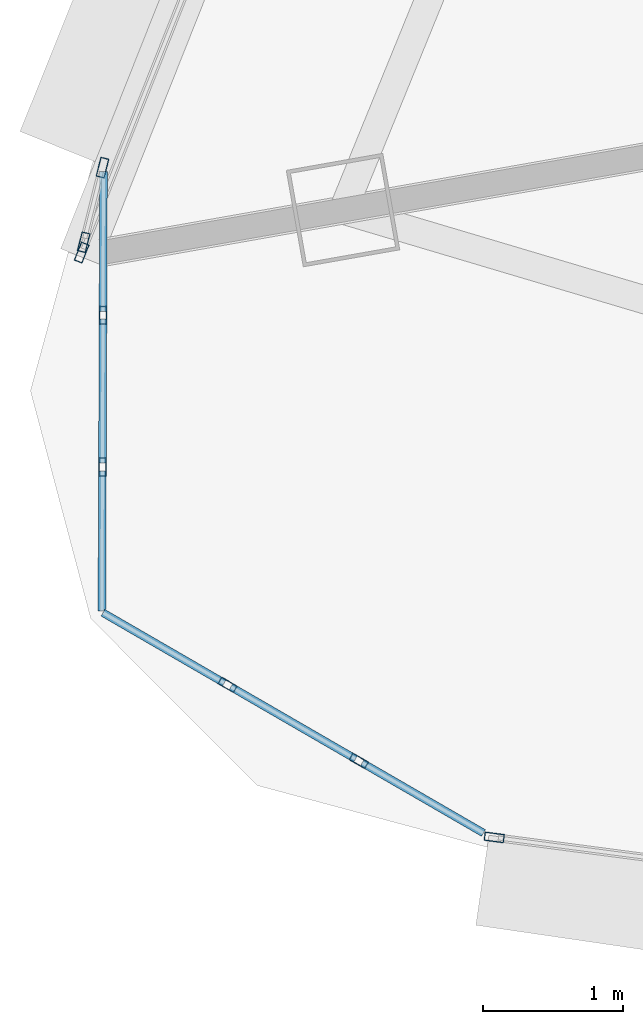
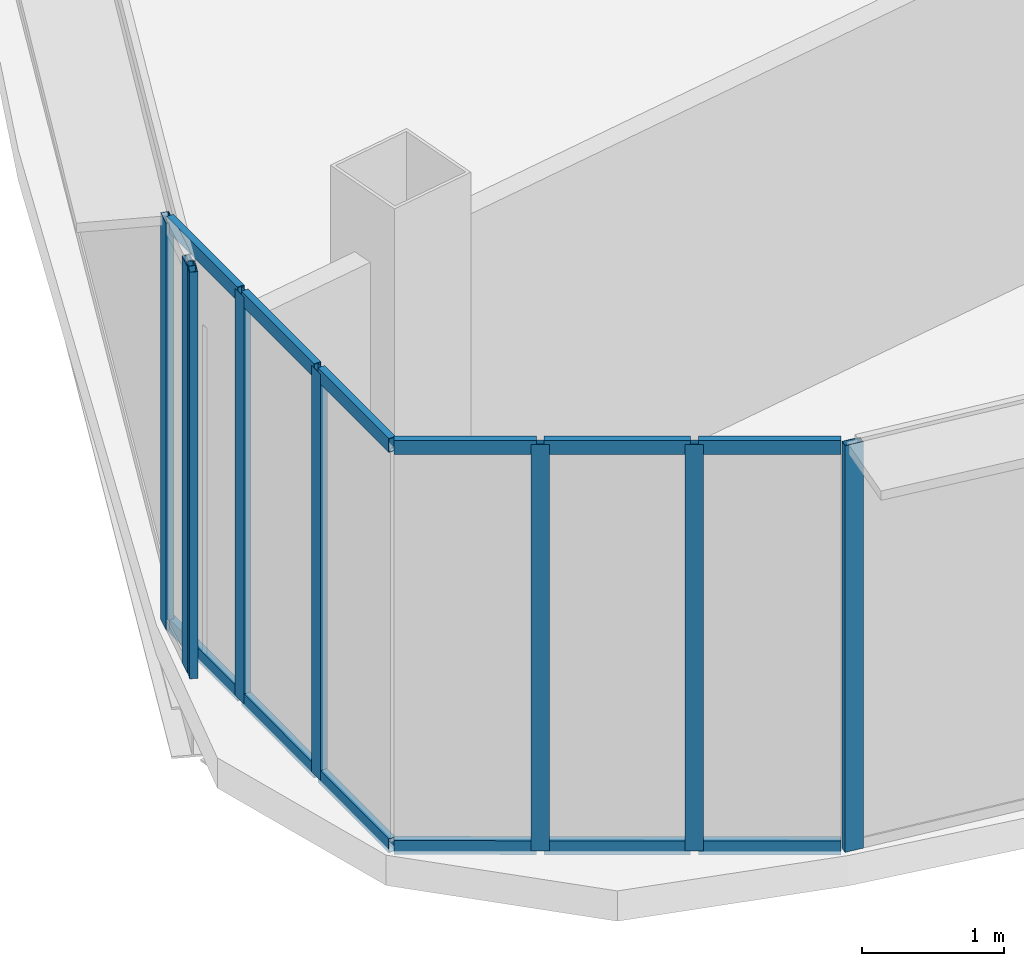
# One storey, part 2 of 29: 20 members, 5 elements without a shape of their own.
"""IFC4 building model written with IfcOpenShell, lengths in metres."""

from ifc_helpers import new_model, si_unit, direction, frame, origin, origin_2d, place, context, subcontext, project, spatial, hollow_rectangle, extrude, source, transform, mapped, material, layer, layer_set, material_profile, profile_set, type_object, element, aggregate, save


model = new_model("IFC4")

# Units and contexts
model_context = context("Model", 3, precision=1e-05, world=origin(), true_north=direction((0.0, 1.0)))
body_context = subcontext(model_context, "Body", "Model", "MODEL_VIEW")
ifc_project = project(units=[si_unit("LENGTHUNIT", "METRE"), si_unit("AREAUNIT", "SQUARE_METRE"), si_unit("VOLUMEUNIT", "CUBIC_METRE"), si_unit("PLANEANGLEUNIT", "RADIAN"), si_unit("MASSUNIT", "GRAM", prefix="KILO"), si_unit("THERMODYNAMICTEMPERATUREUNIT", "KELVIN"), si_unit("POWERUNIT", "WATT")], contexts=[model_context])

# Site, building, storey
site_placement = place(None, origin())
site = spatial("IfcSite", under=ifc_project, at=site_placement, CompositionType="ELEMENT")
building_placement = place(site_placement, origin())
building = spatial("IfcBuilding", under=site, at=building_placement, Name="Yunzhuo Pagoda Commons", CompositionType="ELEMENT")
storey_placement = place(building_placement, frame((0.0, 0.0, 359.260009765625)))
storey = spatial("IfcBuildingStorey", under=building, at=storey_placement, Name="L90", CompositionType="ELEMENT", Elevation=359.260009765625)

# Curtain wall, member
ifc_material = material(Name="Anodized aluminium 6063-T6", Category="aluminium")
ifc_layer_1 = layer(ifc_material, 0.139892578125)
ifc_layer_set_1 = layer_set([ifc_layer_1], Name="Anodized aluminium 6063-T6")
curtain_wall_type_1 = type_object("IfcCurtainWallType", Name="CW-HI High-Zone Ribbon Curtain Wall", PredefinedType="NOTDEFINED", material=ifc_layer_set_1)
curtain_wall_1_placement = place(storey_placement, origin())
curtain_wall_1 = element("IfcCurtainWall", 1, at=curtain_wall_1_placement, inside=storey, type_object=curtain_wall_type_1, Name="L90 curtain wall CW-L90-F1B1", PredefinedType="NOTDEFINED")
ifc_material_profile_1 = material_profile(ifc_material, hollow_rectangle(XDim=0.06005859375, YDim=0.139892578125, WallThickness=0.00341796875, at=origin_2d()), Name="Anodized aluminium 6063-T6")
ifc_profile_set_1 = profile_set([ifc_material_profile_1], Name="Anodized aluminium 6063-T6")
member_type_1 = type_object("IfcMemberType", Name="CW-HI-M Mullion RHS 140x60x3.5", PredefinedType="MULLION", material=ifc_profile_set_1)
shared_shape_1 = source(origin(), body_context, "Body", "SweptSolid", [
    extrude(hollow_rectangle(XDim=0.06005859375, YDim=0.139892578125, WallThickness=0.00341796875, at=origin_2d()), origin(), (0.0, 0.0, 1.0), 3.489990234375),
])
member_1_placement = place(storey_placement, frame((24.6103515625, 24.903076171875, 0.0), z_axis=(0.0, 0.0, 1.0), x_axis=(0.130505551679, 0.991447578534, 0.0)))
member_1 = element("IfcMember", 2, at=member_1_placement, type_object=member_type_1, Name="CW mullion 1", PredefinedType="MULLION", context=body_context, shape_type="MappedRepresentation", body=[
    mapped(shared_shape_1, transform((0.0, 0.0, 0.0), scale=1.0)),
])
aggregate(curtain_wall_1, [member_1])

curtain_wall_2_placement = place(storey_placement, origin())
curtain_wall_2 = element("IfcCurtainWall", 3, at=curtain_wall_2_placement, inside=storey, type_object=curtain_wall_type_1, Name="L90 curtain wall CW-L90-F3B4", PredefinedType="NOTDEFINED")
member_2_placement = place(storey_placement, frame((21.66259765625, 29.081787109375, 0.0), z_axis=(0.0, 0.0, 1.0), x_axis=(0.929441197274, -0.368970270902, 0.0)))
member_2 = element("IfcMember", 4, at=member_2_placement, type_object=member_type_1, Name="CW mullion 2", PredefinedType="MULLION", context=body_context, shape_type="MappedRepresentation", body=[
    mapped(shared_shape_1, transform((0.0, 0.0, 0.0), scale=1.0)),
])
aggregate(curtain_wall_2, [member_2])

# Curtain wall, members
curtain_wall_3_placement = place(storey_placement, origin())
curtain_wall_3 = element("IfcCurtainWall", 5, at=curtain_wall_3_placement, inside=storey, type_object=curtain_wall_type_1, Name="L90 curtain wall CW-L90-F3B5", PredefinedType="NOTDEFINED")
member_3_placement = place(storey_placement, frame((21.677001953125, 29.15576171875, 0.0), z_axis=(0.0, 0.0, 1.0), x_axis=(-0.969716189017, 0.244234544564, 0.0)))
member_3 = element("IfcMember", 6, at=member_3_placement, type_object=member_type_1, Name="CW mullion 1", PredefinedType="MULLION", context=body_context, shape_type="MappedRepresentation", body=[
    mapped(shared_shape_1, transform((0.0, 0.0, 0.0), scale=1.0)),
])
member_4_placement = place(storey_placement, frame((21.811279296875, 29.6884765625, 0.0), z_axis=(0.0, 0.0, 1.0), x_axis=(-0.969716189017, 0.244234544564, 0.0)))
member_4 = element("IfcMember", 7, at=member_4_placement, type_object=member_type_1, Name="CW mullion 2", PredefinedType="MULLION", context=body_context, shape_type="MappedRepresentation", body=[
    mapped(shared_shape_1, transform((0.0, 0.0, 0.0), scale=1.0)),
])
aggregate(curtain_wall_3, [member_3, member_4])

ifc_layer_2 = layer(ifc_material, 0.1298828125)
ifc_layer_set_2 = layer_set([ifc_layer_2], Name="Anodized aluminium 6063-T6")
curtain_wall_type_2 = type_object("IfcCurtainWallType", Name="CW-VTX Rounded Corner Curtain Wall", PredefinedType="NOTDEFINED", material=ifc_layer_set_2)
curtain_wall_4_placement = place(storey_placement, origin())
curtain_wall_4 = element("IfcCurtainWall", 8, at=curtain_wall_4_placement, inside=storey, type_object=curtain_wall_type_2, Name="L90 curtain wall CW-L90-VTX1S1", PredefinedType="NOTDEFINED")
ifc_material_profile_2 = material_profile(ifc_material, hollow_rectangle(XDim=0.054931640625, YDim=0.1298828125, WallThickness=0.00341796875, at=origin_2d()), Name="Anodized aluminium 6063-T6")
ifc_profile_set_2 = profile_set([ifc_material_profile_2], Name="Anodized aluminium 6063-T6")
member_type_2 = type_object("IfcMemberType", Name="CW-VTX-M Mullion RHS 130x55x3.5", PredefinedType="MULLION", material=ifc_profile_set_2)
shared_shape_2 = source(origin(), body_context, "Body", "SweptSolid", [
    extrude(hollow_rectangle(XDim=0.054931640625, YDim=0.1298828125, WallThickness=0.00341796875, at=origin_2d()), origin(), (0.0, 0.0, 1.0), 3.489990234375),
])
member_5_placement = place(storey_placement, frame((21.814697265625, 28.6337890625, 0.0), z_axis=(0.0, 0.0, 1.0), x_axis=(0.999993524845, -0.003598647958, 0.0)))
member_5 = element("IfcMember", 9, at=member_5_placement, type_object=member_type_2, Name="CW mullion 2", PredefinedType="MULLION", context=body_context, shape_type="MappedRepresentation", body=[
    mapped(shared_shape_2, transform((0.0, 0.0, 0.0), scale=1.0)),
])
member_6_placement = place(storey_placement, frame((21.810791015625, 27.550048828125, 0.0), z_axis=(0.0, 0.0, 1.0), x_axis=(0.999993524845, -0.003598647958, 0.0)))
member_6 = element("IfcMember", 10, at=member_6_placement, type_object=member_type_2, Name="CW mullion 3", PredefinedType="MULLION", context=body_context, shape_type="MappedRepresentation", body=[
    mapped(shared_shape_2, transform((0.0, 0.0, 0.0), scale=1.0)),
])

curtain_wall_5_placement = place(storey_placement, origin())
curtain_wall_5 = element("IfcCurtainWall", 11, at=curtain_wall_5_placement, inside=storey, type_object=curtain_wall_type_2, Name="L90 curtain wall CW-L90-VTX1S2", PredefinedType="NOTDEFINED")
member_7_placement = place(storey_placement, frame((22.704833984375, 25.992919921875, 0.0), z_axis=(0.0, 0.0, 1.0), x_axis=(0.501016871191, 0.865437516394, 0.0)))
member_7 = element("IfcMember", 12, at=member_7_placement, type_object=member_type_2, Name="CW mullion 2", PredefinedType="MULLION", context=body_context, shape_type="MappedRepresentation", body=[
    mapped(shared_shape_2, transform((0.0, 0.0, 0.0), scale=1.0)),
])
member_8_placement = place(storey_placement, frame((23.642578125, 25.449951171875, 0.0), z_axis=(0.0, 0.0, 1.0), x_axis=(0.501016871191, 0.865437516394, 0.0)))
member_8 = element("IfcMember", 13, at=member_8_placement, type_object=member_type_2, Name="CW mullion 3", PredefinedType="MULLION", context=body_context, shape_type="MappedRepresentation", body=[
    mapped(shared_shape_2, transform((0.0, 0.0, 0.0), scale=1.0)),
])

# Member
ifc_material_profile_3 = material_profile(ifc_material, hollow_rectangle(XDim=0.054931640625, YDim=0.1201171875, WallThickness=0.00341796875, at=origin_2d()), Name="Anodized aluminium 6063-T6")
ifc_profile_set_3 = profile_set([ifc_material_profile_3], Name="Anodized aluminium 6063-T6")
member_type_3 = type_object("IfcMemberType", Name="CW-VTX-T Transom RHS 120x55x3.5", PredefinedType="USERDEFINED", material=ifc_profile_set_3)
shared_shape_3 = source(origin(), body_context, "Body", "SweptSolid", [
    extrude(hollow_rectangle(XDim=0.054931640625, YDim=0.1201171875, WallThickness=0.00341796875, at=origin_2d()), origin(), (0.0, 0.0, 1.0), 1.001220703125),
])
member_9_placement = place(storey_placement, frame((21.818359375, 29.66259765625, 0.027587890625), z_axis=(-0.003657620011, -0.999993310886, 0.0), x_axis=(0.999993310886, -0.003657620011, 0.0)))
member_9 = element("IfcMember", 14, at=member_9_placement, type_object=member_type_3, Name="CW transom 1.1", ObjectType="TRANSOM", PredefinedType="USERDEFINED", context=body_context, shape_type="MappedRepresentation", body=[
    mapped(shared_shape_3, transform((0.0, 0.0, 0.0), scale=1.0)),
])

member_10_placement = place(storey_placement, frame((21.818359375, 29.66259765625, 3.46240234375), z_axis=(-0.003657620011, -0.999993310886, 0.0), x_axis=(0.999993310886, -0.003657620011, 0.0)))
member_10 = element("IfcMember", 15, at=member_10_placement, type_object=member_type_3, Name="CW transom 1.2", ObjectType="TRANSOM", PredefinedType="USERDEFINED", context=body_context, shape_type="MappedRepresentation", body=[
    mapped(shared_shape_3, transform((0.0, 0.0, 0.0), scale=1.0)),
])

member_11_placement = place(storey_placement, frame((21.810546875, 27.5224609375, 0.027587890625), z_axis=(-0.003657620011, -0.999993310886, 0.0), x_axis=(0.999993310886, -0.003657620011, 0.0)))
member_11 = element("IfcMember", 16, at=member_11_placement, type_object=member_type_3, Name="CW transom 3.1", ObjectType="TRANSOM", PredefinedType="USERDEFINED", context=body_context, shape_type="MappedRepresentation", body=[
    mapped(shared_shape_3, transform((0.0, 0.0, 0.0), scale=1.0)),
])

member_12_placement = place(storey_placement, frame((21.810546875, 27.5224609375, 3.46240234375), z_axis=(-0.003657620011, -0.999993310886, 0.0), x_axis=(0.999993310886, -0.003657620011, 0.0)))
member_12 = element("IfcMember", 17, at=member_12_placement, type_object=member_type_3, Name="CW transom 3.2", ObjectType="TRANSOM", PredefinedType="USERDEFINED", context=body_context, shape_type="MappedRepresentation", body=[
    mapped(shared_shape_3, transform((0.0, 0.0, 0.0), scale=1.0)),
])

member_13_placement = place(storey_placement, frame((21.814453125, 26.50830078125, 0.027587890625), z_axis=(0.865392894497, -0.501093941446, 0.0), x_axis=(0.501093941446, 0.865392894497, 0.0)))
member_13 = element("IfcMember", 18, at=member_13_placement, type_object=member_type_3, Name="CW transom 1.1", ObjectType="TRANSOM", PredefinedType="USERDEFINED", context=body_context, shape_type="MappedRepresentation", body=[
    mapped(shared_shape_3, transform((0.0, 0.0, 0.0), scale=1.0)),
])

member_14_placement = place(storey_placement, frame((21.814453125, 26.50830078125, 3.46240234375), z_axis=(0.865392894497, -0.501093941446, 0.0), x_axis=(0.501093941446, 0.865392894497, 0.0)))
member_14 = element("IfcMember", 19, at=member_14_placement, type_object=member_type_3, Name="CW transom 1.2", ObjectType="TRANSOM", PredefinedType="USERDEFINED", context=body_context, shape_type="MappedRepresentation", body=[
    mapped(shared_shape_3, transform((0.0, 0.0, 0.0), scale=1.0)),
])

member_15_placement = place(storey_placement, frame((23.66650390625, 25.43603515625, 0.027587890625), z_axis=(0.865498628265, -0.500911294014, 0.0), x_axis=(0.500911294014, 0.865498628265, 0.0)))
member_15 = element("IfcMember", 20, at=member_15_placement, type_object=member_type_3, Name="CW transom 3.1", ObjectType="TRANSOM", PredefinedType="USERDEFINED", context=body_context, shape_type="MappedRepresentation", body=[
    mapped(shared_shape_3, transform((0.0, 0.0, 0.0), scale=1.0)),
])

member_16_placement = place(storey_placement, frame((23.66650390625, 25.43603515625, 3.46240234375), z_axis=(0.865498628265, -0.500911294014, 0.0), x_axis=(0.500911294014, 0.865498628265, 0.0)))
member_16 = element("IfcMember", 21, at=member_16_placement, type_object=member_type_3, Name="CW transom 3.2", ObjectType="TRANSOM", PredefinedType="USERDEFINED", context=body_context, shape_type="MappedRepresentation", body=[
    mapped(shared_shape_3, transform((0.0, 0.0, 0.0), scale=1.0)),
])

shared_shape_4 = source(origin(), body_context, "Body", "SweptSolid", [
    extrude(hollow_rectangle(XDim=0.054931640625, YDim=0.1201171875, WallThickness=0.00341796875, at=origin_2d()), origin(), (0.0, 0.0, 1.0), 1.028564453125),
])
member_17_placement = place(storey_placement, frame((21.814453125, 28.606201171875, 0.027587890625), z_axis=(-0.003560385694, -0.999993661807, 0.0), x_axis=(0.999993661807, -0.003560385694, 0.0)))
member_17 = element("IfcMember", 22, at=member_17_placement, type_object=member_type_3, Name="CW transom 2.1", ObjectType="TRANSOM", PredefinedType="USERDEFINED", context=body_context, shape_type="MappedRepresentation", body=[
    mapped(shared_shape_4, transform((0.0, 0.0, 0.0), scale=1.0)),
])

member_18_placement = place(storey_placement, frame((21.814453125, 28.606201171875, 3.46240234375), z_axis=(-0.003560385694, -0.999993661807, 0.0), x_axis=(0.999993661807, -0.003560385694, 0.0)))
member_18 = element("IfcMember", 23, at=member_18_placement, type_object=member_type_3, Name="CW transom 2.2", ObjectType="TRANSOM", PredefinedType="USERDEFINED", context=body_context, shape_type="MappedRepresentation", body=[
    mapped(shared_shape_4, transform((0.0, 0.0, 0.0), scale=1.0)),
])

aggregate(curtain_wall_4, [member_5, member_6, member_9, member_10, member_17, member_18, member_11, member_12])

shared_shape_5 = source(origin(), body_context, "Body", "SweptSolid", [
    extrude(hollow_rectangle(XDim=0.054931640625, YDim=0.1201171875, WallThickness=0.00341796875, at=origin_2d()), origin(), (0.0, 0.0, 1.0), 1.029052734375),
])
member_19_placement = place(storey_placement, frame((22.728515625, 25.97900390625, 0.027587890625), z_axis=(0.865529146091, -0.500858560142, 0.0), x_axis=(0.500858560142, 0.865529146091, 0.0)))
member_19 = element("IfcMember", 24, at=member_19_placement, type_object=member_type_3, Name="CW transom 2.1", ObjectType="TRANSOM", PredefinedType="USERDEFINED", context=body_context, shape_type="MappedRepresentation", body=[
    mapped(shared_shape_5, transform((0.0, 0.0, 0.0), scale=1.0)),
])

member_20_placement = place(storey_placement, frame((22.728515625, 25.97900390625, 3.46240234375), z_axis=(0.865529146091, -0.500858560142, 0.0), x_axis=(0.500858560142, 0.865529146091, 0.0)))
member_20 = element("IfcMember", 25, at=member_20_placement, type_object=member_type_3, Name="CW transom 2.2", ObjectType="TRANSOM", PredefinedType="USERDEFINED", context=body_context, shape_type="MappedRepresentation", body=[
    mapped(shared_shape_5, transform((0.0, 0.0, 0.0), scale=1.0)),
])

aggregate(curtain_wall_5, [member_7, member_8, member_13, member_14, member_19, member_20, member_15, member_16])

save(model, "model.ifc")
